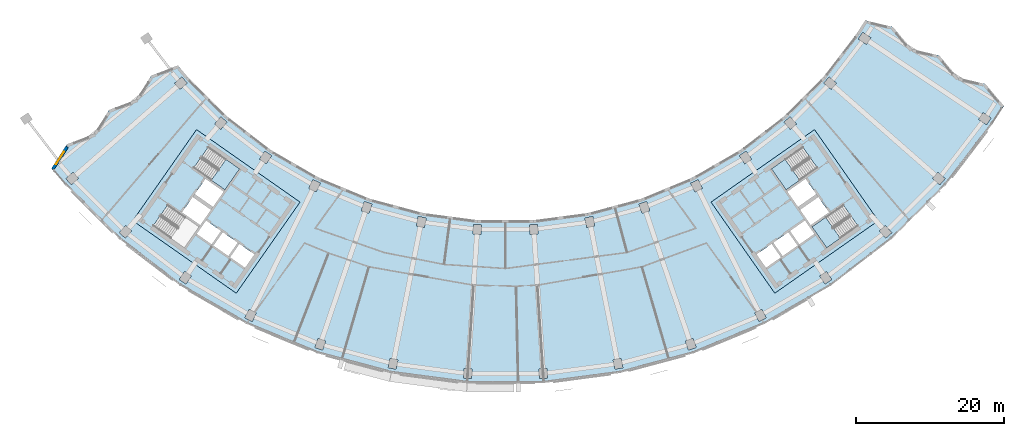
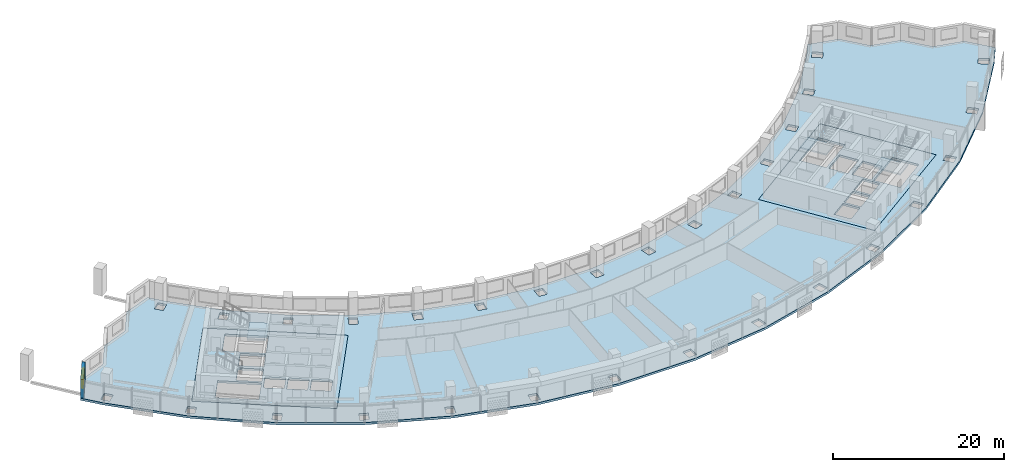
# One storey, part 2 of 27: 6 slabs, 1 wall, 1 window, 1 opening, 3 elements without a shape of their own.
"""IFC4 building model written with IfcOpenShell, lengths in metres."""

from ifc_helpers import new_model, si_unit, direction, frame, frame_2d, origin, place, context, subcontext, project, spatial, polyline, rectangle, outline, extrude, material, layer, layer_set, type_object, element, fill, aggregate, save


model = new_model("IFC4")

# Units and contexts
model_context = context("Model", 3, precision=1e-05, world=origin(), true_north=direction((0.0, 1.0)))
body_context = subcontext(model_context, "Body", "Model", "MODEL_VIEW")
ifc_project = project(units=[si_unit("LENGTHUNIT", "METRE"), si_unit("AREAUNIT", "SQUARE_METRE"), si_unit("VOLUMEUNIT", "CUBIC_METRE"), si_unit("PLANEANGLEUNIT", "RADIAN"), si_unit("MASSUNIT", "GRAM", prefix="KILO")], contexts=[model_context])

# Site, building, storey
site_placement = place(None, origin())
site = spatial("IfcSite", under=ifc_project, at=site_placement, CompositionType="ELEMENT")
building_placement = place(site_placement, origin())
building = spatial("IfcBuilding", under=site, at=building_placement, Name="Qamariyya Broadcast Tower", CompositionType="ELEMENT")
storey_placement = place(building_placement, frame((0.0, 0.0, 175.89990234375)))
storey = spatial("IfcBuildingStorey", under=building, at=storey_placement, Name="L41", CompositionType="ELEMENT", Elevation=175.89990234375)

# Slabs
ifc_material_1 = material(Name="Concrete C40/50", Category="concrete")
ifc_layer_1 = layer(ifc_material_1, 0.300048828125)
ifc_layer_set_1 = layer_set([ifc_layer_1], Name="Core floor slab 300 mm Concrete C40/50")
slab_type_1 = type_object("IfcSlabType", Name="Core floor slab 300 mm Concrete C40/50", PredefinedType="FLOOR", material=ifc_layer_set_1)
slab_1_placement = place(storey_placement, frame((0.0, 0.0, -0.2998046875)))
element("IfcSlab", 1, at=slab_1_placement, inside=storey, type_object=slab_type_1, Name="k-W-L41-slab", PredefinedType="FLOOR", context=body_context, shape_type="SweptSolid", body=[
    extrude(outline(polyline([(-50.286376953125, -56.95751953125), (-36.32373046875, -66.734375), (-27.719970703125, -54.447021484375), (-41.6826171875, -44.67041015625), (-50.286376953125, -56.95751953125)]), holes=[polyline([(-33.87353515625, -61.49169921875), (-35.88037109375, -60.08642578125), (-37.142333984375, -61.888427734375), (-35.13525390625, -63.293701171875), (-33.87353515625, -61.49169921875)]), polyline([(-36.126220703125, -59.914306640625), (-38.133056640625, -58.509033203125), (-39.394775390625, -60.311279296875), (-37.387939453125, -61.716552734375), (-36.126220703125, -59.914306640625)]), polyline([(-38.378662109375, -58.3369140625), (-40.3857421875, -56.931640625), (-41.6474609375, -58.73388671875), (-39.640625, -60.13916015625), (-38.378662109375, -58.3369140625)]), polyline([(-39.742431640625, -55.489990234375), (-42.199951171875, -53.769287109375), (-43.6337890625, -55.817138671875), (-41.17626953125, -57.537841796875), (-39.742431640625, -55.489990234375)]), polyline([(-39.45556640625, -55.080322265625), (-41.9130859375, -53.359619140625), (-40.47900390625, -51.311767578125), (-38.021728515625, -53.032470703125), (-39.45556640625, -55.080322265625)]), polyline([(-42.06103515625, -49.837890625), (-37.849609375, -52.78662109375), (-35.870849609375, -49.960693359375), (-40.082275390625, -47.01171875), (-42.06103515625, -49.837890625)]), polyline([(-47.538818359375, -57.66064453125), (-43.3271484375, -60.609619140625), (-41.348388671875, -57.783447265625), (-45.559814453125, -54.834716796875), (-47.538818359375, -57.66064453125)])]), origin(), (0.0, 0.0, 1.0), 0.2998046875),
])
slab_2_placement = place(storey_placement, frame((0.0, 0.0, -0.2998046875)))
element("IfcSlab", 2, at=slab_2_placement, inside=storey, type_object=slab_type_1, Name="k-E-L41-slab", PredefinedType="FLOOR", context=body_context, shape_type="SweptSolid", body=[
    extrude(outline(polyline([(36.32373046875, -66.734375), (50.286376953125, -56.95751953125), (41.6826171875, -44.67041015625), (27.719970703125, -54.447021484375), (36.32373046875, -66.734375)]), holes=[polyline([(33.87353515625, -61.49169921875), (35.88037109375, -60.08642578125), (37.142333984375, -61.888427734375), (35.13525390625, -63.293701171875), (33.87353515625, -61.49169921875)]), polyline([(36.126220703125, -59.914306640625), (38.133056640625, -58.509033203125), (39.394775390625, -60.311279296875), (37.387939453125, -61.716552734375), (36.126220703125, -59.914306640625)]), polyline([(38.378662109375, -58.3369140625), (40.3857421875, -56.931640625), (41.6474609375, -58.73388671875), (39.640625, -60.13916015625), (38.378662109375, -58.3369140625)]), polyline([(39.742431640625, -55.489990234375), (42.199951171875, -53.769287109375), (43.6337890625, -55.817138671875), (41.17626953125, -57.537841796875), (39.742431640625, -55.489990234375)]), polyline([(39.45556640625, -55.080322265625), (41.9130859375, -53.359619140625), (40.47900390625, -51.311767578125), (38.021728515625, -53.032470703125), (39.45556640625, -55.080322265625)]), polyline([(40.082275390625, -47.01171875), (35.870849609375, -49.960693359375), (37.849609375, -52.78662109375), (42.06103515625, -49.837890625), (40.082275390625, -47.01171875)]), polyline([(45.559814453125, -54.834716796875), (41.348388671875, -57.783447265625), (43.3271484375, -60.609619140625), (47.538818359375, -57.66064453125), (45.559814453125, -54.834716796875)])]), origin(), (0.0, 0.0, 1.0), 0.2998046875),
])
ifc_layer_2 = layer(ifc_material_1, 0.300048828125)
ifc_layer_set_2 = layer_set([ifc_layer_2], Name="Post-tensioned floor slab 300 C40/50")
slab_type_2 = type_object("IfcSlabType", Name="Post-tensioned floor slab 300 C40/50", PredefinedType="FLOOR", material=ifc_layer_set_2)
slab_3_placement = place(storey_placement, frame((0.0, 0.0, -0.2998046875)))
element("IfcSlab", 3, at=slab_3_placement, inside=storey, type_object=slab_type_2, Name="Floor slab S4 L41", PredefinedType="FLOOR", context=body_context, shape_type="SweptSolid", body=[
    extrude(outline(polyline([(-59.158447265625, -46.64111328125), (-61.2509765625, -49.893310546875), (-59.395263671875, -52.08837890625), (-52.08837890625, -59.395263671875), (-43.89013671875, -65.68603515625), (-34.94091796875, -70.85302734375), (-25.393798828125, -74.807373046875), (-15.412109375, -77.48193359375), (-5.166748046875, -78.830810546875), (5.166748046875, -78.830810546875), (15.412109375, -77.48193359375), (25.393798828125, -74.807373046875), (34.94091796875, -70.85302734375), (43.89013671875, -65.68603515625), (52.08837890625, -59.395263671875), (59.395263671875, -52.08837890625), (65.68603515625, -43.89013671875), (67.2392578125, -41.471435546875), (64.740234375, -38.520263671875), (60.99755859375, -37.621826171875), (58.497802734375, -34.670166015625), (54.756103515625, -33.772216796875), (52.2548828125, -30.81982421875), (48.514404296875, -29.922607421875), (47.393798828125, -31.66748046875), (42.85498046875, -37.582763671875), (37.582763671875, -42.85498046875), (31.66748046875, -47.393798828125), (25.21044921875, -51.121826171875), (18.322021484375, -53.97509765625), (11.1201171875, -55.90478515625), (3.72802734375, -56.8779296875), (-3.72802734375, -56.8779296875), (-11.1201171875, -55.90478515625), (-18.322021484375, -53.97509765625), (-25.21044921875, -51.121826171875), (-31.66748046875, -47.393798828125), (-37.582763671875, -42.85498046875), (-42.85498046875, -37.582763671875), (-44.193603515625, -35.998779296875), (-47.78515625, -37.376708984375), (-49.87939453125, -40.63037109375), (-53.471923828125, -42.009033203125), (-55.565185546875, -45.26171875), (-59.158447265625, -46.64111328125)]), holes=[polyline([(-5.676513671875, -78.1962890625), (-5.59130859375, -76.89892578125), (-4.49365234375, -76.970947265625), (-4.578857421875, -78.26806640625), (-5.676513671875, -78.1962890625)]), polyline([(-15.83447265625, -76.786376953125), (-15.580810546875, -75.51123046875), (-14.501953125, -75.725830078125), (-14.755615234375, -77.0009765625), (-15.83447265625, -76.786376953125)]), polyline([(-25.7216796875, -74.0625), (-25.3037109375, -72.83154296875), (-24.26220703125, -73.18505859375), (-24.679931640625, -74.416015625), (-25.7216796875, -74.0625)]), polyline([(-35.168701171875, -70.071533203125), (-34.59375, -68.905517578125), (-33.607177734375, -69.39208984375), (-34.18212890625, -70.55810546875), (-35.168701171875, -70.071533203125)]), polyline([(-44.013916015625, -64.881591796875), (-43.291748046875, -63.80078125), (-42.377197265625, -64.411865234375), (-43.099365234375, -65.49267578125), (-44.013916015625, -64.881591796875)]), polyline([(-52.106201171875, -58.58154296875), (-51.2490234375, -57.604248046875), (-50.422119140625, -58.32958984375), (-51.279296875, -59.306884765625), (-52.106201171875, -58.58154296875)]), polyline([(-4.401123046875, -58.738037109375), (-4.316162109375, -57.440673828125), (-3.218505859375, -57.5126953125), (-3.303466796875, -58.809814453125), (-4.401123046875, -58.738037109375)]), polyline([(-12.0302734375, -57.660888671875), (-11.776611328125, -56.385986328125), (-10.69775390625, -56.6005859375), (-10.951416015625, -57.87548828125), (-12.0302734375, -57.660888671875)]), polyline([(-50.286376953125, -56.95751953125), (-41.6826171875, -44.67041015625), (-27.719970703125, -54.447021484375), (-36.32373046875, -66.734375), (-50.286376953125, -56.95751953125)]), polyline([(-19.45361328125, -55.597412109375), (-19.03564453125, -54.366455078125), (-17.994140625, -54.719970703125), (-18.411865234375, -55.950927734375), (-19.45361328125, -55.597412109375)]), polyline([(-26.544189453125, -52.58251953125), (-25.968994140625, -51.41650390625), (-24.982666015625, -51.903076171875), (-25.5576171875, -53.069091796875), (-26.544189453125, -52.58251953125)]), polyline([(-59.306884765625, -51.279296875), (-58.32958984375, -50.422119140625), (-57.604248046875, -51.2490234375), (-58.58154296875, -52.106201171875), (-59.306884765625, -51.279296875)]), polyline([(-33.180419921875, -48.66796875), (-32.458251953125, -47.587158203125), (-31.54345703125, -48.1982421875), (-32.265869140625, -49.279052734375), (-33.180419921875, -48.66796875)]), polyline([(-39.2490234375, -43.920654296875), (-38.391845703125, -42.943359375), (-37.564697265625, -43.668701171875), (-38.421875, -44.64599609375), (-39.2490234375, -43.920654296875)]), polyline([(-43.668701171875, -37.564697265625), (-42.943359375, -38.391845703125), (-43.920654296875, -39.2490234375), (-44.64599609375, -38.421875), (-43.668701171875, -37.564697265625)]), polyline([(4.578857421875, -78.26806640625), (4.49365234375, -76.970947265625), (5.59130859375, -76.89892578125), (5.676513671875, -78.1962890625), (4.578857421875, -78.26806640625)]), polyline([(14.755615234375, -77.0009765625), (14.501953125, -75.725830078125), (15.580810546875, -75.51123046875), (15.83447265625, -76.786376953125), (14.755615234375, -77.0009765625)]), polyline([(24.679931640625, -74.416015625), (24.26220703125, -73.18505859375), (25.3037109375, -72.83154296875), (25.7216796875, -74.0625), (24.679931640625, -74.416015625)]), polyline([(34.18212890625, -70.55810546875), (33.607177734375, -69.39208984375), (34.59375, -68.905517578125), (35.168701171875, -70.071533203125), (34.18212890625, -70.55810546875)]), polyline([(43.099365234375, -65.49267578125), (42.377197265625, -64.411865234375), (43.291748046875, -63.80078125), (44.013916015625, -64.881591796875), (43.099365234375, -65.49267578125)]), polyline([(51.279296875, -59.306884765625), (50.422119140625, -58.32958984375), (51.2490234375, -57.604248046875), (52.106201171875, -58.58154296875), (51.279296875, -59.306884765625)]), polyline([(3.303466796875, -58.809814453125), (3.218505859375, -57.5126953125), (4.316162109375, -57.440673828125), (4.401123046875, -58.738037109375), (3.303466796875, -58.809814453125)]), polyline([(10.951416015625, -57.87548828125), (10.69775390625, -56.6005859375), (11.776611328125, -56.385986328125), (12.0302734375, -57.660888671875), (10.951416015625, -57.87548828125)]), polyline([(36.32373046875, -66.734375), (27.719970703125, -54.447021484375), (41.6826171875, -44.67041015625), (50.286376953125, -56.95751953125), (36.32373046875, -66.734375)]), polyline([(18.411865234375, -55.950927734375), (17.994140625, -54.719970703125), (19.03564453125, -54.366455078125), (19.45361328125, -55.597412109375), (18.411865234375, -55.950927734375)]), polyline([(25.5576171875, -53.069091796875), (24.982666015625, -51.903076171875), (25.968994140625, -51.41650390625), (26.544189453125, -52.58251953125), (25.5576171875, -53.069091796875)]), polyline([(58.58154296875, -52.106201171875), (57.604248046875, -51.2490234375), (58.32958984375, -50.422119140625), (59.306884765625, -51.279296875), (58.58154296875, -52.106201171875)]), polyline([(32.265869140625, -49.279052734375), (31.54345703125, -48.1982421875), (32.458251953125, -47.587158203125), (33.180419921875, -48.66796875), (32.265869140625, -49.279052734375)]), polyline([(38.421875, -44.64599609375), (37.564697265625, -43.668701171875), (38.391845703125, -42.943359375), (39.2490234375, -43.920654296875), (38.421875, -44.64599609375)]), polyline([(64.881591796875, -44.013916015625), (63.80078125, -43.291748046875), (64.411865234375, -42.377197265625), (65.49267578125, -43.099365234375), (64.881591796875, -44.013916015625)]), polyline([(42.943359375, -38.391845703125), (43.668701171875, -37.564697265625), (44.64599609375, -38.421875), (43.920654296875, -39.2490234375), (42.943359375, -38.391845703125)]), polyline([(47.587158203125, -32.458251953125), (48.1982421875, -31.54345703125), (49.279052734375, -32.265869140625), (48.66796875, -33.180419921875), (47.587158203125, -32.458251953125)])]), origin(), (0.0, 0.0, 1.0), 0.2998046875),
])

# Stair, slab
ifc_material_2 = material(Name="Concrete C50/60", Category="concrete")
stair_type = type_object("IfcStairType", Name="Exit stair 22 risers of 173 mm", PredefinedType="HALF_TURN_STAIR", material=ifc_material_2)
stair_1_placement = place(storey_placement, origin())
stair_1 = element("IfcStair", 4, at=stair_1_placement, inside=storey, type_object=stair_type, Name="L41 Stair W2", PredefinedType="HALF_TURN_STAIR")
ifc_layer_3 = layer(ifc_material_2, 0.199951171875)
ifc_layer_set_3 = layer_set([ifc_layer_3], Name="Stair landing")
slab_type_3 = type_object("IfcSlabType", Name="Stair landing", PredefinedType="LANDING", material=ifc_layer_set_3)
slab_4_placement = place(storey_placement, frame((0.0, 0.0, 1.7001953125)))
slab_4 = element("IfcSlab", 5, at=slab_4_placement, type_object=slab_type_3, Name="ST-W2 landing 1", PredefinedType="LANDING", context=body_context, shape_type="SweptSolid", body=[
    extrude(outline(polyline([(-39.692138671875, -51.49658203125), (-37.849609375, -52.78662109375), (-35.870849609375, -49.960693359375), (-37.71337890625, -48.67041015625), (-39.692138671875, -51.49658203125)])), origin(), (0.0, 0.0, 1.0), 0.199951171875),
])
aggregate(stair_1, [slab_4])

stair_2_placement = place(storey_placement, origin())
stair_2 = element("IfcStair", 6, at=stair_2_placement, inside=storey, type_object=stair_type, Name="L41 Stair E2", PredefinedType="HALF_TURN_STAIR")
slab_5_placement = place(storey_placement, frame((0.0, 0.0, 1.7001953125)))
slab_5 = element("IfcSlab", 7, at=slab_5_placement, type_object=slab_type_3, Name="ST-E2 landing 1", PredefinedType="LANDING", context=body_context, shape_type="SweptSolid", body=[
    extrude(outline(polyline([(37.71337890625, -48.67041015625), (35.870849609375, -49.960693359375), (37.849609375, -52.78662109375), (39.692138671875, -51.49658203125), (37.71337890625, -48.67041015625)])), origin(), (0.0, 0.0, 1.0), 0.199951171875),
])
aggregate(stair_2, [slab_5])

stair_3_placement = place(storey_placement, origin())
stair_3 = element("IfcStair", 8, at=stair_3_placement, inside=storey, type_object=stair_type, Name="L41 Stair E1", PredefinedType="HALF_TURN_STAIR")
slab_6_placement = place(storey_placement, frame((0.0, 0.0, 1.7001953125)))
slab_6 = element("IfcSlab", 9, at=slab_6_placement, type_object=slab_type_3, Name="ST-E1 landing 1", PredefinedType="LANDING", context=body_context, shape_type="SweptSolid", body=[
    extrude(outline(polyline([(43.19091796875, -56.493408203125), (41.348388671875, -57.783447265625), (43.3271484375, -60.609619140625), (45.169677734375, -59.319580078125), (43.19091796875, -56.493408203125)])), origin(), (0.0, 0.0, 1.0), 0.199951171875),
])
aggregate(stair_3, [slab_6])

# Wall, opening, window
ifc_material_3 = material(Name="Terracotta", Category="masonry")
ifc_layer_4 = layer(ifc_material_3, 0.39990234375)
ifc_layer_set_4 = layer_set([ifc_layer_4], Name="Terracotta clad wall 400")
wall_type = type_object("IfcWallType", Name="Terracotta clad wall 400", PredefinedType="SOLIDWALL", material=ifc_layer_set_4)
wall_placement = place(storey_placement, frame((-59.141845703125, -46.98486328125, 0.0), z_axis=(0.0, 0.0, 1.0), x_axis=(-0.54108778236, -0.840966118093, 0.0)))
wall = element("IfcWall", 10, at=wall_placement, inside=storey, type_object=wall_type, Name="e-wl-L41-capW5", PredefinedType="SOLIDWALL", context=body_context, shape_type="SweptSolid", body=[
    extrude(rectangle(XDim=3.587158203125, YDim=0.39990234375, at=frame_2d((1.79345703125, 0.0))), origin(), (0.0, 0.0, 1.0), 2.7001953125),
])
opening_placement = place(wall_placement, frame((0.79345703125, 0.0, 0.89990234375)))
opening = element("IfcOpeningElement", 11, at=opening_placement, cuts=wall, Name="Opening W4", PredefinedType="OPENING", context=body_context, shape_type="SweptSolid", body=[
    extrude(rectangle(XDim=2.0, YDim=1.5, at=frame_2d((1.0, 0.75))), frame((0.0, 0.2099609375, 0.0), z_axis=(0.0, -1.0, 0.0), x_axis=(1.0, 0.0, 0.0)), (0.0, 0.0, 1.0), 0.419921875),
])
ifc_material_4 = material(Name="Clear low-e double glazed unit in aluminium frame", Category="aluminium")
window_type = type_object("IfcWindowType", Name="Horn bay window 2000 x 1500", PartitioningType="SINGLE_PANEL", PredefinedType="WINDOW", material=ifc_material_4)
window_placement = place(opening_placement, origin())
window = element("IfcWindow", 12, at=window_placement, inside=storey, type_object=window_type, Name="e-w-L41-capW5", OverallHeight=1.5, OverallWidth=2.0, PartitioningType="SINGLE_PANEL", PredefinedType="WINDOW", context=body_context, shape_type="SweptSolid", body=[
    extrude(rectangle(XDim=2.0, YDim=1.5, at=frame_2d((1.0, 0.75))), frame((0.0, 0.030029296875, 0.0), z_axis=(0.0, -1.0, 0.0), x_axis=(1.0, 0.0, 0.0)), (0.0, 0.0, 1.0), 0.06005859375),
])
fill(opening, window)

save(model, "model.ifc")
